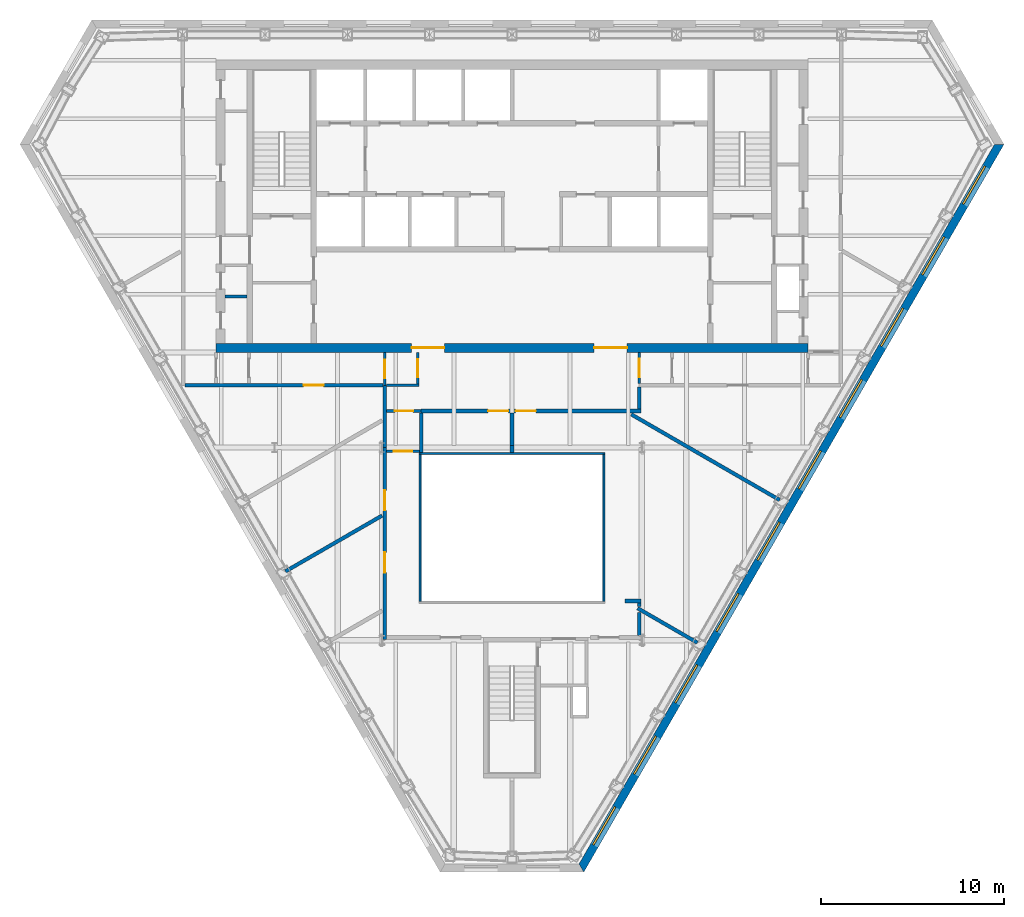
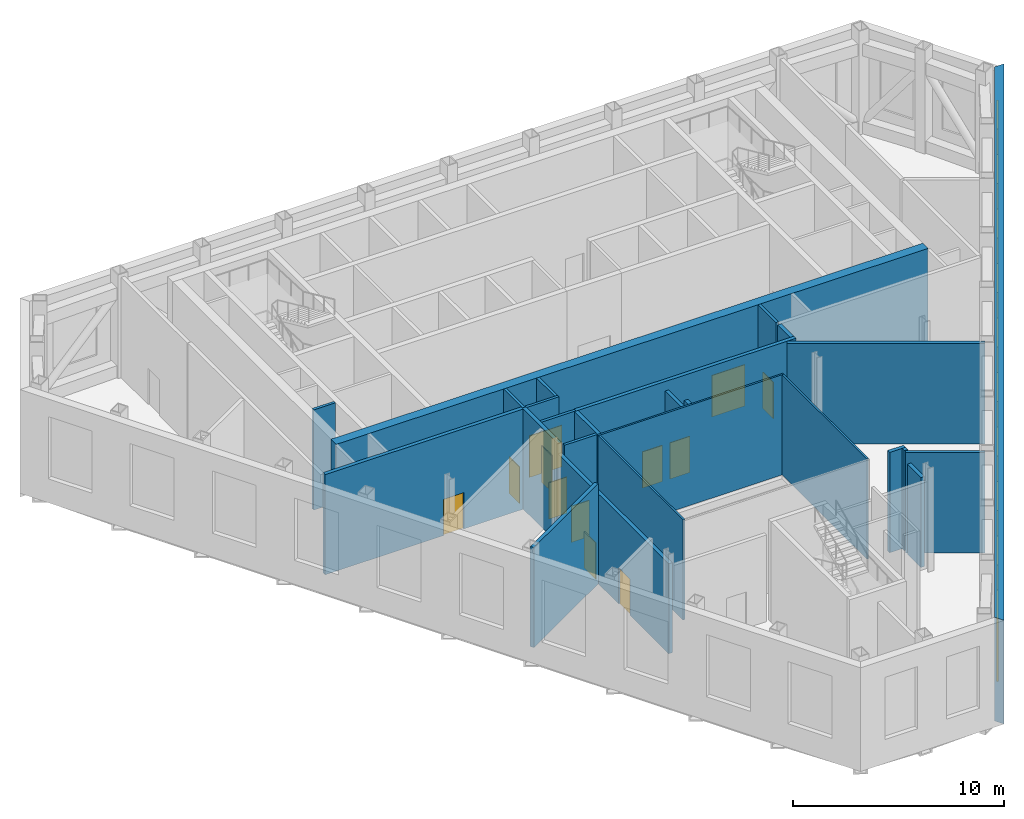
# One storey, part 7 of 13: 26 walls, 12 doors, 10 shading devices, 22 openings.
"""IFC4 building model written with IfcOpenShell, lengths in metres."""

import ifcopenshell
import ifcopenshell.guid

model = None  # the IFC model being written
_history = None  # IfcOwnerHistory: only IFC2X3 demands one
_inside = {}  # id of a spatial element -> (the spatial element, [elements in it])
_under = {}  # id of a project, library or spatial element -> (it, [spatial elements below it])
_declared = {}  # id of a project -> (the project, [libraries it declares])
_typed = {}  # id of a type object -> (the type object, [elements of that type])
_made_of = {}  # id of a material, layer set ... -> (it, [elements and type objects made of it])


def new_model(schema):
    """Start an empty IFC model of exactly this schema.

    Asked for "IFC4X3", IfcOpenShell would pick the latest addendum, in which some entities
    have other attributes; the version numbers below select the first issue.
    IFC2X3 requires an IfcOwnerHistory on every rooted entity: one is made here for all.
    """
    global model, _history
    if schema == "IFC4X3":
        model = ifcopenshell.file(schema_version=(4, 3, 0, 0))
    else:
        model = ifcopenshell.file(schema=schema)
    _inside.clear()
    _under.clear()
    _declared.clear()
    _typed.clear()
    _made_of.clear()
    _history = None
    if model.schema == "IFC2X3":
        org = make("IfcOrganization", Name="unknown")
        user = make(
            "IfcPersonAndOrganization",
            ThePerson=make("IfcPerson", FamilyName="unknown"),
            TheOrganization=org,
        )
        app = make(
            "IfcApplication",
            ApplicationDeveloper=org,
            Version="unknown",
            ApplicationFullName="unknown",
            ApplicationIdentifier="unknown",
        )
        _history = make(
            "IfcOwnerHistory",
            OwningUser=user,
            OwningApplication=app,
            ChangeAction="ADDED",
            CreationDate=0,
        )
    return model


def make(cls, **values):
    """One entity of the class cls with the attributes given. An attribute that is None is left unset."""
    return model.create_entity(
        cls, **{name: value for name, value in values.items() if value is not None}
    )


def rooted(cls, **values):
    """An entity with a GlobalId (a new one), such as an element, a storey or a relation."""
    return make(cls, GlobalId=ifcopenshell.guid.new(), OwnerHistory=_history, **values)


def si_unit(unit_type, name, prefix=None):
    """IfcSIUnit, for example si_unit("LENGTHUNIT", "METRE", prefix="MILLI")."""
    return make("IfcSIUnit", UnitType=unit_type, Prefix=prefix, Name=name)


def assignment(units):
    """IfcUnitAssignment: the units of a project."""
    return None if units is None else make("IfcUnitAssignment", Units=units)


def point(xyz):
    """IfcCartesianPoint."""
    return None if xyz is None else make("IfcCartesianPoint", Coordinates=xyz)


def direction(xyz):
    """IfcDirection."""
    return None if xyz is None else make("IfcDirection", DirectionRatios=xyz)


def frame(location, z_axis=None, x_axis=None):
    """IfcAxis2Placement3D, a coordinate frame: its origin and axes. An axis left out is left unset."""
    return make(
        "IfcAxis2Placement3D",
        Location=point(location),
        Axis=direction(z_axis),
        RefDirection=direction(x_axis),
    )


def frame_2d(location, x_axis=None):
    """IfcAxis2Placement2D, a coordinate frame in the plane: its origin and x axis."""
    return make(
        "IfcAxis2Placement2D", Location=point(location), RefDirection=direction(x_axis)
    )


def origin():
    """The frame at (0, 0, 0) with its axes left unset."""
    return frame((0.0, 0.0, 0.0))


def place(relative_to, where):
    """IfcLocalPlacement: puts the frame where relative to a parent placement (None: the world)."""
    return make(
        "IfcLocalPlacement", PlacementRelTo=relative_to, RelativePlacement=where
    )


def context(
    kind, dimensions, precision=None, world=None, true_north=None, identifier=None
):
    """IfcGeometricRepresentationContext, for example the 3D "Model" context."""
    return make(
        "IfcGeometricRepresentationContext",
        ContextIdentifier=identifier,
        ContextType=kind,
        CoordinateSpaceDimension=dimensions,
        Precision=precision,
        WorldCoordinateSystem=world,
        TrueNorth=true_north,
    )


def subcontext(parent, identifier, kind, view, scale=None):
    """IfcGeometricRepresentationSubContext, for example "Body" below "Model"."""
    return make(
        "IfcGeometricRepresentationSubContext",
        ContextIdentifier=identifier,
        ContextType=kind,
        ParentContext=parent,
        TargetScale=scale,
        TargetView=view,
    )


def project(units=None, contexts=None):
    """IfcProject with its units and contexts."""
    return rooted(
        "IfcProject",
        Name="project",
        RepresentationContexts=contexts,
        UnitsInContext=assignment(units),
    )


def spatial(cls, under=None, at=None, **own):
    """A site, building, storey or space (cls), placed at a placement, below another one or the project."""
    s = rooted(cls, ObjectPlacement=at, **own)
    if under is not None:
        _under.setdefault(under.id(), (under, []))[1].append(s)
    return s


def polyline(points):
    """IfcPolyline through the points."""
    return make("IfcPolyline", Points=[point(p) for p in points])


def profile(cls, at=None, kind="AREA", **sizes):
    """A parametric profile (cls). Its sizes go by their IFC names, for example OverallWidth=200.0."""
    return make(cls, ProfileType=kind, Position=at, **sizes)


def rectangle(**sizes):
    """IfcRectangleProfileDef."""
    return profile("IfcRectangleProfileDef", **sizes)


def outline(outer, holes=None, kind="AREA"):
    """IfcArbitraryClosedProfileDef: a profile drawn as a closed curve; with holes, ...WithVoids."""
    if holes is None:
        return make("IfcArbitraryClosedProfileDef", ProfileType=kind, OuterCurve=outer)
    return make(
        "IfcArbitraryProfileDefWithVoids",
        ProfileType=kind,
        OuterCurve=outer,
        InnerCurves=holes,
    )


def extrude(swept, where, along, depth):
    """IfcExtrudedAreaSolid: the profile swept, set in the frame where, extruded along a direction by depth."""
    return make(
        "IfcExtrudedAreaSolid",
        SweptArea=swept,
        Position=where,
        ExtrudedDirection=direction(along),
        Depth=depth,
    )


def shape(context_of_items, identifier, shape_type, items):
    """IfcShapeRepresentation: the items that make up one representation, for example the "Body"."""
    return make(
        "IfcShapeRepresentation",
        ContextOfItems=context_of_items,
        RepresentationIdentifier=identifier,
        RepresentationType=shape_type,
        Items=items,
    )


def material(Name=None, Category=None):
    """IfcMaterial."""
    return make("IfcMaterial", Name=Name, Category=Category)


def layer(
    of_material, thickness, ventilated=None, Name=None, Category=None, Priority=None
):
    """IfcMaterialLayer: one layer of a wall or slab, of a material (None: an air gap)."""
    return make(
        "IfcMaterialLayer",
        Material=of_material,
        LayerThickness=thickness,
        IsVentilated=ventilated,
        Name=Name,
        Category=Category,
        Priority=Priority,
    )


def layer_set(layers, Name=None):
    """IfcMaterialLayerSet."""
    return make("IfcMaterialLayerSet", MaterialLayers=layers, LayerSetName=Name)


def made_of(thing, what):
    """Note that an element or type object is made of a material, layer set ...; save() writes the relation."""
    if what is not None:
        _made_of.setdefault(what.id(), (what, []))[1].append(thing)
    return thing


def type_object(cls, material=None, **own):
    """A type object (cls), such as IfcWallType, which elements share."""
    return made_of(rooted(cls, **own), material)


def element(
    cls,
    number,
    at=None,
    inside=None,
    cuts=None,
    type_object=None,
    material=None,
    context=None,
    identifier="Body",
    shape_type=None,
    held_by="IfcProductDefinitionShape",
    body=None,
    shapes=None,
    **own,
):
    """One element of the class cls, such as IfcWall. Its Tag is "e" and its number.

    at: its placement. inside: the storey or other place that contains it. cuts: it is an
    opening in that element (IfcRelVoidsElement). A single representation is given by context,
    identifier, shape_type and body (its items); several are given by shapes. held_by: the class
    of the entity that holds the representations. save() writes the other relations.
    """
    e = rooted(cls, Tag="e%d" % number, ObjectPlacement=at, **own)
    if body is not None:
        shapes = [shape(context, identifier, shape_type, body)]
    if shapes is not None:
        e.Representation = make(held_by, Representations=shapes)
    if inside is not None:
        _inside.setdefault(inside.id(), (inside, []))[1].append(e)
    if cuts is not None:
        rooted(
            "IfcRelVoidsElement", RelatingBuildingElement=cuts, RelatedOpeningElement=e
        )
    if type_object is not None:
        _typed.setdefault(type_object.id(), (type_object, []))[1].append(e)
    return made_of(e, material)


def fill(opening, filler):
    """IfcRelFillsElement: the door or window that sits in an opening."""
    return rooted(
        "IfcRelFillsElement",
        RelatingOpeningElement=opening,
        RelatedBuildingElement=filler,
    )


def aggregate(whole, parts):
    """IfcRelAggregates: a whole, such as a stair, and the parts it consists of."""
    return rooted("IfcRelAggregates", RelatingObject=whole, RelatedObjects=parts)


def save(model, path):
    """Write the relations noted so far, then the file.

    IfcRelAggregates (storeys below a building ...), IfcRelContainedInSpatialStructure (elements
    in a storey), IfcRelDefinesByType, IfcRelAssociatesMaterial and IfcRelDeclares: one each for
    every whole, place, type object, material and project.
    """
    for whole, parts in _under.values():
        aggregate(whole, parts)
    for where, things in _inside.values():
        rooted(
            "IfcRelContainedInSpatialStructure",
            RelatedElements=things,
            RelatingStructure=where,
        )
    for kind, things in _typed.values():
        rooted("IfcRelDefinesByType", RelatedObjects=things, RelatingType=kind)
    for what, things in _made_of.values():
        rooted("IfcRelAssociatesMaterial", RelatedObjects=things, RelatingMaterial=what)
    for by, libraries in _declared.values():
        rooted("IfcRelDeclares", RelatingContext=by, RelatedDefinitions=libraries)
    model.write(path)


model = new_model("IFC4")

# Units and contexts
model_context = context("Model", 3, precision=1e-05, world=origin(), true_north=direction((0.0, 1.0)))
body_context = subcontext(model_context, "Body", "Model", "MODEL_VIEW")
ifc_project = project(units=[si_unit("LENGTHUNIT", "METRE"), si_unit("AREAUNIT", "SQUARE_METRE"), si_unit("VOLUMEUNIT", "CUBIC_METRE"), si_unit("PLANEANGLEUNIT", "RADIAN"), si_unit("MASSUNIT", "GRAM", prefix="KILO")], contexts=[model_context])

# Site, building, storey
site_placement = place(None, origin())
site = spatial("IfcSite", under=ifc_project, at=site_placement, CompositionType="ELEMENT")
building_placement = place(site_placement, origin())
building = spatial("IfcBuilding", under=site, at=building_placement, Name="Njiva Tower", CompositionType="ELEMENT")
storey_placement = place(building_placement, frame((0.0, 0.0, 186.6)))
storey = spatial("IfcBuildingStorey", under=building, at=storey_placement, Name="L41", CompositionType="ELEMENT", Elevation=186.6)

# Wall, openings, doors
ifc_material_1 = material(Name="Concrete C60/75", Category="concrete")
ifc_layer_1 = layer(ifc_material_1, 0.5)
ifc_layer_set_1 = layer_set([ifc_layer_1], Name="Concrete C60/75")
wall_type_1 = type_object("IfcWallType", Name="WT13 Core wall 500", PredefinedType="SHEAR", material=ifc_layer_set_1)
wall_1_placement = place(storey_placement, frame((-16.2, 2.25, 0.0), z_axis=(0.0, 0.0, 1.0), x_axis=(1.0, 0.0, 0.0)))
wall_1 = element("IfcWall", 1, at=wall_1_placement, inside=storey, type_object=wall_type_1, Name="Core wall south", PredefinedType="SHEAR", context=body_context, shape_type="SweptSolid", body=[
    extrude(rectangle(XDim=32.4, YDim=0.5, at=frame_2d((16.2, 0.0))), origin(), (0.0, 0.0, 1.0), 5.8),
])
opening_1_placement = place(wall_1_placement, frame((10.7, 0.0, 0.0)))
opening_1 = element("IfcOpeningElement", 2, at=opening_1_placement, cuts=wall_1, Name="Opening T3-D933", PredefinedType="OPENING", context=body_context, shape_type="SweptSolid", body=[
    extrude(rectangle(XDim=1.8, YDim=2.4, at=frame_2d((0.9, 1.2))), frame((0.0, 0.26, 0.0), z_axis=(0.0, -1.0, 0.0), x_axis=(1.0, 0.0, 0.0)), (0.0, 0.0, 1.0), 0.52),
])
opening_2_placement = place(wall_1_placement, frame((20.7, 0.0, 0.0)))
opening_2 = element("IfcOpeningElement", 3, at=opening_2_placement, cuts=wall_1, Name="Opening T3-D934", PredefinedType="OPENING", context=body_context, shape_type="SweptSolid", body=[
    extrude(rectangle(XDim=1.8, YDim=2.4, at=frame_2d((0.9, 1.2))), frame((0.0, 0.26, 0.0), z_axis=(0.0, -1.0, 0.0), x_axis=(1.0, 0.0, 0.0)), (0.0, 0.0, 1.0), 0.52),
])
ifc_material_2 = material(Name="Steel and glass door", Category="steel")
door_type_1 = type_object("IfcDoorType", Name="D3 Core entrance door 1800x2400", OperationType="DOUBLE_DOOR_SINGLE_SWING", PredefinedType="DOOR", material=ifc_material_2)
door_1_placement = place(opening_1_placement, origin())
door_1 = element("IfcDoor", 4, at=door_1_placement, inside=storey, type_object=door_type_1, Name="Core entrance door", OperationType="DOUBLE_DOOR_SINGLE_SWING", OverallHeight=2.4, OverallWidth=1.8, PredefinedType="DOOR", context=body_context, shape_type="SweptSolid", body=[
    extrude(rectangle(XDim=1.8, YDim=2.4, at=frame_2d((0.9, 1.2))), frame((0.0, 0.025, 0.0), z_axis=(0.0, -1.0, 0.0), x_axis=(1.0, 0.0, 0.0)), (0.0, 0.0, 1.0), 0.05),
])
fill(opening_1, door_1)
door_2_placement = place(opening_2_placement, origin())
door_2 = element("IfcDoor", 5, at=door_2_placement, inside=storey, type_object=door_type_1, Name="Core entrance door", OperationType="DOUBLE_DOOR_SINGLE_SWING", OverallHeight=2.4, OverallWidth=1.8, PredefinedType="DOOR", context=body_context, shape_type="SweptSolid", body=[
    extrude(rectangle(XDim=1.8, YDim=2.4, at=frame_2d((0.9, 1.2))), frame((0.0, 0.025, 0.0), z_axis=(0.0, -1.0, 0.0), x_axis=(1.0, 0.0, 0.0)), (0.0, 0.0, 1.0), 0.05),
])
fill(opening_2, door_2)

# Wall, opening, door
ifc_material_3 = material(Name="Gypsum board on steel studs", Category="gypsum")
ifc_layer_2 = layer(ifc_material_3, 0.15)
ifc_layer_set_2 = layer_set([ifc_layer_2], Name="Gypsum board on steel studs")
wall_type_2 = type_object("IfcWallType", Name="WT21 Compartment wall 150", PredefinedType="PARTITIONING", material=ifc_layer_set_2)
wall_2_placement = place(storey_placement, frame((-6.96, 0.201, 0.0), z_axis=(0.0, 0.0, 1.0), x_axis=(0.0, 1.0, 0.0)))
wall_2 = element("IfcWall", 6, at=wall_2_placement, inside=storey, type_object=wall_type_2, Name="Partition T3-P011", PredefinedType="PARTITIONING", context=body_context, shape_type="SweptSolid", body=[
    extrude(rectangle(XDim=1.798, YDim=0.15, at=frame_2d((0.899, 0.0))), origin(), (0.0, 0.0, 1.0), 5.8),
])
opening_3_placement = place(wall_2_placement, frame((0.399, 0.0, 0.0)))
opening_3 = element("IfcOpeningElement", 7, at=opening_3_placement, cuts=wall_2, Name="Opening T3-D007", PredefinedType="OPENING", context=body_context, shape_type="SweptSolid", body=[
    extrude(rectangle(XDim=1.0, YDim=2.1, at=frame_2d((0.5, 1.05))), frame((0.0, 0.085, 0.0), z_axis=(0.0, -1.0, 0.0), x_axis=(1.0, 0.0, 0.0)), (0.0, 0.0, 1.0), 0.17),
])
ifc_material_4 = material(Name="Steel fire door set", Category="steel")
door_type_2 = type_object("IfcDoorType", Name="D37 Fire door 1000x2100", OperationType="SINGLE_SWING_LEFT", PredefinedType="DOOR", material=ifc_material_4)
door_3_placement = place(opening_3_placement, origin())
door_3 = element("IfcDoor", 8, at=door_3_placement, inside=storey, type_object=door_type_2, Name="Door T3-D007", OperationType="SINGLE_SWING_RIGHT", OverallHeight=2.1, OverallWidth=1.0, PredefinedType="DOOR", context=body_context, shape_type="SweptSolid", body=[
    extrude(rectangle(XDim=1.0, YDim=2.1, at=frame_2d((0.5, 1.05))), frame((0.0, 0.025, 0.0), z_axis=(0.0, -1.0, 0.0), x_axis=(1.0, 0.0, 0.0)), (0.0, 0.0, 1.0), 0.05),
])
fill(opening_3, door_3)

wall_3_placement = place(storey_placement, frame((-6.86, -3.4, 0.0), z_axis=(0.0, 0.0, 1.0), x_axis=(1.0, 0.0, 0.0)))
wall_3 = element("IfcWall", 9, at=wall_3_placement, inside=storey, type_object=wall_type_2, Name="Partition T3-P013", PredefinedType="PARTITIONING", context=body_context, shape_type="SweptSolid", body=[
    extrude(rectangle(XDim=1.801, YDim=0.15, at=frame_2d((0.9005, 0.0))), origin(), (0.0, 0.0, 1.0), 5.8),
])
opening_4_placement = place(wall_3_placement, frame((0.4, 0.0, 0.0)))
opening_4 = element("IfcOpeningElement", 10, at=opening_4_placement, cuts=wall_3, Name="Opening T3-D009", PredefinedType="OPENING", context=body_context, shape_type="SweptSolid", body=[
    extrude(rectangle(XDim=1.0, YDim=2.1, at=frame_2d((0.5, 1.05))), frame((0.0, 0.085, 0.0), z_axis=(0.0, -1.0, 0.0), x_axis=(1.0, 0.0, 0.0)), (0.0, 0.0, 1.0), 0.17),
])
door_4_placement = place(opening_4_placement, origin())
door_4 = element("IfcDoor", 11, at=door_4_placement, inside=storey, type_object=door_type_2, Name="Door T3-D009", OperationType="SINGLE_SWING_RIGHT", OverallHeight=2.1, OverallWidth=1.0, PredefinedType="DOOR", context=body_context, shape_type="SweptSolid", body=[
    extrude(rectangle(XDim=1.0, YDim=2.1, at=frame_2d((0.5, 1.05))), frame((0.0, 0.025, 0.0), z_axis=(0.0, -1.0, 0.0), x_axis=(1.0, 0.0, 0.0)), (0.0, 0.0, 1.0), 0.05),
])
fill(opening_4, door_4)

wall_4_placement = place(storey_placement, frame((-6.86, -1.2, 0.0), z_axis=(0.0, 0.0, 1.0), x_axis=(1.0, 0.0, 0.0)))
wall_4 = element("IfcWall", 12, at=wall_4_placement, inside=storey, type_object=wall_type_2, Name="Partition T3-P014", PredefinedType="PARTITIONING", context=body_context, shape_type="SweptSolid", body=[
    extrude(rectangle(XDim=1.888, YDim=0.15, at=frame_2d((0.944, 0.0))), origin(), (0.0, 0.0, 1.0), 5.8),
])
opening_5_placement = place(wall_4_placement, frame((0.444, 0.0, 0.0)))
opening_5 = element("IfcOpeningElement", 13, at=opening_5_placement, cuts=wall_4, Name="Opening T3-D010", PredefinedType="OPENING", context=body_context, shape_type="SweptSolid", body=[
    extrude(rectangle(XDim=1.0, YDim=2.1, at=frame_2d((0.5, 1.05))), frame((0.0, 0.085, 0.0), z_axis=(0.0, -1.0, 0.0), x_axis=(1.0, 0.0, 0.0)), (0.0, 0.0, 1.0), 0.17),
])
door_5_placement = place(opening_5_placement, origin())
door_5 = element("IfcDoor", 14, at=door_5_placement, inside=storey, type_object=door_type_2, Name="Door T3-D010", OperationType="SINGLE_SWING_LEFT", OverallHeight=2.1, OverallWidth=1.0, PredefinedType="DOOR", context=body_context, shape_type="SweptSolid", body=[
    extrude(rectangle(XDim=1.0, YDim=2.1, at=frame_2d((0.5, 1.05))), frame((0.0, 0.025, 0.0), z_axis=(0.0, -1.0, 0.0), x_axis=(1.0, 0.0, 0.0)), (0.0, 0.0, 1.0), 0.05),
])
fill(opening_5, door_5)

# Wall
wall_5_placement = place(storey_placement, frame((-6.86, 0.201, 0.0), z_axis=(0.0, 0.0, 1.0), x_axis=(1.0, 0.0, 0.0)))
element("IfcWall", 15, at=wall_5_placement, inside=storey, type_object=wall_type_2, Name="Partition T3-P015", PredefinedType="PARTITIONING", context=body_context, shape_type="SweptSolid", body=[
    extrude(rectangle(XDim=1.775, YDim=0.15, at=frame_2d((0.8875, 0.0))), origin(), (0.0, 0.0, 1.0), 5.8),
])

# Wall, opening, door
wall_6_placement = place(storey_placement, frame((-5.16, 0.276, 0.0), z_axis=(0.0, 0.0, 1.0), x_axis=(0.0, 1.0, 0.0)))
wall_6 = element("IfcWall", 16, at=wall_6_placement, inside=storey, type_object=wall_type_2, Name="Partition T3-P016", PredefinedType="PARTITIONING", context=body_context, shape_type="SweptSolid", body=[
    extrude(rectangle(XDim=1.723, YDim=0.15, at=frame_2d((0.8615, 0.0))), origin(), (0.0, 0.0, 1.0), 5.8),
])
opening_6_placement = place(wall_6_placement, frame((0.362, 0.0, 0.0)))
opening_6 = element("IfcOpeningElement", 17, at=opening_6_placement, cuts=wall_6, Name="Opening T3-D011", PredefinedType="OPENING", context=body_context, shape_type="SweptSolid", body=[
    extrude(rectangle(XDim=1.0, YDim=2.1, at=frame_2d((0.5, 1.05))), frame((0.0, 0.085, 0.0), z_axis=(0.0, -1.0, 0.0), x_axis=(1.0, 0.0, 0.0)), (0.0, 0.0, 1.0), 0.17),
])
door_6_placement = place(opening_6_placement, origin())
door_6 = element("IfcDoor", 18, at=door_6_placement, inside=storey, type_object=door_type_2, Name="Door T3-D011", OperationType="SINGLE_SWING_LEFT", OverallHeight=2.1, OverallWidth=1.0, PredefinedType="DOOR", context=body_context, shape_type="SweptSolid", body=[
    extrude(rectangle(XDim=1.0, YDim=2.1, at=frame_2d((0.5, 1.05))), frame((0.0, 0.025, 0.0), z_axis=(0.0, -1.0, 0.0), x_axis=(1.0, 0.0, 0.0)), (0.0, 0.0, 1.0), 0.05),
])
fill(opening_6, door_6)

wall_7_placement = place(storey_placement, frame((6.96, 0.3, 0.0), z_axis=(0.0, 0.0, 1.0), x_axis=(0.0, 1.0, 0.0)))
wall_7 = element("IfcWall", 19, at=wall_7_placement, inside=storey, type_object=wall_type_2, Name="Partition T3-P027", PredefinedType="PARTITIONING", context=body_context, shape_type="SweptSolid", body=[
    extrude(rectangle(XDim=1.7, YDim=0.15, at=frame_2d((0.85, 0.0))), origin(), (0.0, 0.0, 1.0), 5.8),
])
opening_7_placement = place(wall_7_placement, frame((0.35, 0.0, 0.0)))
opening_7 = element("IfcOpeningElement", 20, at=opening_7_placement, cuts=wall_7, Name="Opening T3-D015", PredefinedType="OPENING", context=body_context, shape_type="SweptSolid", body=[
    extrude(rectangle(XDim=1.0, YDim=2.1, at=frame_2d((0.5, 1.05))), frame((0.0, 0.085, 0.0), z_axis=(0.0, -1.0, 0.0), x_axis=(1.0, 0.0, 0.0)), (0.0, 0.0, 1.0), 0.17),
])
door_7_placement = place(opening_7_placement, origin())
door_7 = element("IfcDoor", 21, at=door_7_placement, inside=storey, type_object=door_type_2, Name="Door T3-D015", OperationType="SINGLE_SWING_LEFT", OverallHeight=2.1, OverallWidth=1.0, PredefinedType="DOOR", context=body_context, shape_type="SweptSolid", body=[
    extrude(rectangle(XDim=1.0, YDim=2.1, at=frame_2d((0.5, 1.05))), frame((0.0, 0.025, 0.0), z_axis=(0.0, -1.0, 0.0), x_axis=(1.0, 0.0, 0.0)), (0.0, 0.0, 1.0), 0.05),
])
fill(opening_7, door_7)

ifc_material_5 = material(Name="Blockwork", Category="masonry")
ifc_layer_3 = layer(ifc_material_5, 0.2)
ifc_layer_set_3 = layer_set([ifc_layer_3], Name="Blockwork")
wall_type_3 = type_object("IfcWallType", Name="WT22 Plant room wall 200", PredefinedType="PARTITIONING", material=ifc_layer_set_3)
wall_8_placement = place(storey_placement, frame((-17.9, 0.2, 0.0), z_axis=(0.0, 0.0, 1.0), x_axis=(1.0, 0.0, 0.0)))
wall_8 = element("IfcWall", 22, at=wall_8_placement, inside=storey, type_object=wall_type_3, Name="Partition T3-P004", PredefinedType="PARTITIONING", context=body_context, shape_type="SweptSolid", body=[
    extrude(rectangle(XDim=10.84, YDim=0.2, at=frame_2d((5.42, 0.0))), origin(), (0.0, 0.0, 1.0), 5.8),
])
opening_8_placement = place(wall_8_placement, frame((6.489, 0.0, 0.0)))
opening_8 = element("IfcOpeningElement", 23, at=opening_8_placement, cuts=wall_8, Name="Opening T3-D002", PredefinedType="OPENING", context=body_context, shape_type="SweptSolid", body=[
    extrude(rectangle(XDim=1.1, YDim=2.1, at=frame_2d((0.55, 1.05))), frame((0.0, 0.11, 0.0), z_axis=(0.0, -1.0, 0.0), x_axis=(1.0, 0.0, 0.0)), (0.0, 0.0, 1.0), 0.22),
])
ifc_material_6 = material(Name="Steel door set", Category="steel")
door_type_3 = type_object("IfcDoorType", Name="D34 Plant door 1100x2100", OperationType="SINGLE_SWING_LEFT", PredefinedType="DOOR", material=ifc_material_6)
door_8_placement = place(opening_8_placement, origin())
door_8 = element("IfcDoor", 24, at=door_8_placement, inside=storey, type_object=door_type_3, Name="Door T3-D002", OperationType="SINGLE_SWING_RIGHT", OverallHeight=2.1, OverallWidth=1.1, PredefinedType="DOOR", context=body_context, shape_type="SweptSolid", body=[
    extrude(rectangle(XDim=1.1, YDim=2.1, at=frame_2d((0.55, 1.05))), frame((0.0, 0.025, 0.0), z_axis=(0.0, -1.0, 0.0), x_axis=(1.0, 0.0, 0.0)), (0.0, 0.0, 1.0), 0.05),
])
fill(opening_8, door_8)

# Wall
wall_9_placement = place(storey_placement, frame((-12.397, -9.979, 0.0), z_axis=(0.0, 0.0, 1.0), x_axis=(0.866057383041, 0.499944606212, 0.0)))
element("IfcWall", 25, at=wall_9_placement, inside=storey, type_object=wall_type_3, Name="Partition T3-P008", PredefinedType="PARTITIONING", context=body_context, shape_type="SweptSolid", body=[
    extrude(rectangle(XDim=6.1047, YDim=0.2, at=frame_2d((3.0524, 0.0))), origin(), (0.0, 0.0, 1.0), 5.8),
])

# Wall, openings, doors
wall_10_placement = place(storey_placement, frame((-6.96, -13.699, 0.0), z_axis=(0.0, 0.0, 1.0), x_axis=(0.0, 1.0, 0.0)))
wall_10 = element("IfcWall", 26, at=wall_10_placement, inside=storey, type_object=wall_type_3, Name="Partition T3-P010", PredefinedType="PARTITIONING", context=body_context, shape_type="SweptSolid", body=[
    extrude(rectangle(XDim=10.499, YDim=0.2, at=frame_2d((5.2495, 0.0))), origin(), (0.0, 0.0, 1.0), 5.21),
])
opening_9_placement = place(wall_10_placement, frame((3.656, 0.0, 0.0)))
opening_9 = element("IfcOpeningElement", 27, at=opening_9_placement, cuts=wall_10, Name="Opening T3-D005", PredefinedType="OPENING", context=body_context, shape_type="SweptSolid", body=[
    extrude(rectangle(XDim=1.1, YDim=2.1, at=frame_2d((0.55, 1.05))), frame((0.0, 0.11, 0.0), z_axis=(0.0, -1.0, 0.0), x_axis=(1.0, 0.0, 0.0)), (0.0, 0.0, 1.0), 0.22),
])
opening_10_placement = place(wall_10_placement, frame((7.059, 0.0, 0.0)))
opening_10 = element("IfcOpeningElement", 28, at=opening_10_placement, cuts=wall_10, Name="Opening T3-D006", PredefinedType="OPENING", context=body_context, shape_type="SweptSolid", body=[
    extrude(rectangle(XDim=1.1, YDim=2.1, at=frame_2d((0.55, 1.05))), frame((0.0, 0.11, 0.0), z_axis=(0.0, -1.0, 0.0), x_axis=(1.0, 0.0, 0.0)), (0.0, 0.0, 1.0), 0.22),
])
door_9_placement = place(opening_9_placement, origin())
door_9 = element("IfcDoor", 29, at=door_9_placement, inside=storey, type_object=door_type_3, Name="Door T3-D005", OperationType="SINGLE_SWING_RIGHT", OverallHeight=2.1, OverallWidth=1.1, PredefinedType="DOOR", context=body_context, shape_type="SweptSolid", body=[
    extrude(rectangle(XDim=1.1, YDim=2.1, at=frame_2d((0.55, 1.05))), frame((0.0, 0.025, 0.0), z_axis=(0.0, -1.0, 0.0), x_axis=(1.0, 0.0, 0.0)), (0.0, 0.0, 1.0), 0.05),
])
fill(opening_9, door_9)
door_10_placement = place(opening_10_placement, origin())
door_10 = element("IfcDoor", 30, at=door_10_placement, inside=storey, type_object=door_type_3, Name="Door T3-D006", OperationType="SINGLE_SWING_LEFT", OverallHeight=2.1, OverallWidth=1.1, PredefinedType="DOOR", context=body_context, shape_type="SweptSolid", body=[
    extrude(rectangle(XDim=1.1, YDim=2.1, at=frame_2d((0.55, 1.05))), frame((0.0, 0.025, 0.0), z_axis=(0.0, -1.0, 0.0), x_axis=(1.0, 0.0, 0.0)), (0.0, 0.0, 1.0), 0.05),
])
fill(opening_10, door_10)

# Wall
wall_11_placement = place(storey_placement, frame((-6.96, -3.2, 0.0), z_axis=(0.0, 0.0, 1.0), x_axis=(0.0, 1.0, 0.0)))
element("IfcWall", 31, at=wall_11_placement, inside=storey, type_object=wall_type_3, Name="Partition T3-P010A", PredefinedType="PARTITIONING", context=body_context, shape_type="SweptSolid", body=[
    extrude(rectangle(XDim=3.398, YDim=0.2, at=frame_2d((1.699, 0.0))), origin(), (0.0, 0.0, 1.0), 5.8),
])

# Wall, openings, doors
wall_12_placement = place(storey_placement, frame((-4.972, -1.2, 0.0), z_axis=(0.0, 0.0, 1.0), x_axis=(1.0, 0.0, 0.0)))
wall_12 = element("IfcWall", 32, at=wall_12_placement, inside=storey, type_object=wall_type_3, Name="Partition T3-P017", PredefinedType="PARTITIONING", context=body_context, shape_type="SweptSolid", body=[
    extrude(rectangle(XDim=12.032, YDim=0.2, at=frame_2d((6.016, 0.0))), origin(), (0.0, 0.0, 1.0), 5.8),
])
opening_11_placement = place(wall_12_placement, frame((3.671, 0.0, 0.0)))
opening_11 = element("IfcOpeningElement", 33, at=opening_11_placement, cuts=wall_12, Name="Opening T3-D012", PredefinedType="OPENING", context=body_context, shape_type="SweptSolid", body=[
    extrude(rectangle(XDim=1.1, YDim=2.1, at=frame_2d((0.55, 1.05))), frame((0.0, 0.11, 0.0), z_axis=(0.0, -1.0, 0.0), x_axis=(1.0, 0.0, 0.0)), (0.0, 0.0, 1.0), 0.22),
])
opening_12_placement = place(wall_12_placement, frame((5.174, 0.0, 0.0)))
opening_12 = element("IfcOpeningElement", 34, at=opening_12_placement, cuts=wall_12, Name="Opening T3-D013", PredefinedType="OPENING", context=body_context, shape_type="SweptSolid", body=[
    extrude(rectangle(XDim=1.1, YDim=2.1, at=frame_2d((0.55, 1.05))), frame((0.0, 0.11, 0.0), z_axis=(0.0, -1.0, 0.0), x_axis=(1.0, 0.0, 0.0)), (0.0, 0.0, 1.0), 0.22),
])
door_11_placement = place(opening_11_placement, origin())
door_11 = element("IfcDoor", 35, at=door_11_placement, inside=storey, type_object=door_type_3, Name="Door T3-D012", OperationType="SINGLE_SWING_LEFT", OverallHeight=2.1, OverallWidth=1.1, PredefinedType="DOOR", context=body_context, shape_type="SweptSolid", body=[
    extrude(rectangle(XDim=1.1, YDim=2.1, at=frame_2d((0.55, 1.05))), frame((0.0, 0.025, 0.0), z_axis=(0.0, -1.0, 0.0), x_axis=(1.0, 0.0, 0.0)), (0.0, 0.0, 1.0), 0.05),
])
fill(opening_11, door_11)
door_12_placement = place(opening_12_placement, origin())
door_12 = element("IfcDoor", 36, at=door_12_placement, inside=storey, type_object=door_type_3, Name="Door T3-D013", OperationType="SINGLE_SWING_LEFT", OverallHeight=2.1, OverallWidth=1.1, PredefinedType="DOOR", context=body_context, shape_type="SweptSolid", body=[
    extrude(rectangle(XDim=1.1, YDim=2.1, at=frame_2d((0.55, 1.05))), frame((0.0, 0.025, 0.0), z_axis=(0.0, -1.0, 0.0), x_axis=(1.0, 0.0, 0.0)), (0.0, 0.0, 1.0), 0.05),
])
fill(opening_12, door_12)

# Walls
wall_13_placement = place(storey_placement, frame((-4.959, -3.48, 0.0), z_axis=(0.0, 0.0, 1.0), x_axis=(-0.000458715548, 0.99999989479, 0.0)))
element("IfcWall", 37, at=wall_13_placement, inside=storey, type_object=wall_type_3, Name="Partition T3-P018", PredefinedType="PARTITIONING", context=body_context, shape_type="SweptSolid", body=[
    extrude(rectangle(XDim=2.18, YDim=0.2, at=frame_2d((1.09, 0.0))), origin(), (0.0, 0.0, 1.0), 5.8),
])
wall_14_placement = place(storey_placement, frame((-0.001, -1.3, 0.0), z_axis=(0.0, 0.0, 1.0), x_axis=(0.000444444401, -0.999999901235, 0.0)))
element("IfcWall", 38, at=wall_14_placement, inside=storey, type_object=wall_type_3, Name="Partition T3-P019", PredefinedType="PARTITIONING", context=body_context, shape_type="SweptSolid", body=[
    extrude(rectangle(XDim=1.8, YDim=0.2, at=frame_2d((0.9, 0.0))), origin(), (0.0, 0.0, 1.0), 5.25),
])
wall_15_placement = place(storey_placement, frame((-0.0002, -3.1, 0.0), z_axis=(0.0, 0.0, 1.0), x_axis=(0.000526315717, -0.999999861496, 0.0)))
element("IfcWall", 39, at=wall_15_placement, inside=storey, type_object=wall_type_3, Name="Partition T3-P019A", PredefinedType="PARTITIONING", context=body_context, shape_type="SweptSolid", body=[
    extrude(rectangle(XDim=0.38, YDim=0.2, at=frame_2d((0.19, 0.0))), origin(), (0.0, 0.0, 1.0), 5.8),
])
wall_16_placement = place(storey_placement, frame((6.189, -11.6, 0.0), z_axis=(0.0, 0.0, 1.0), x_axis=(1.0, 0.0, 0.0)))
element("IfcWall", 40, at=wall_16_placement, inside=storey, type_object=wall_type_3, Name="Partition T3-P022", PredefinedType="PARTITIONING", context=body_context, shape_type="SweptSolid", body=[
    extrude(rectangle(XDim=0.871, YDim=0.2, at=frame_2d((0.4355, 0.0))), origin(), (0.0, 0.0, 1.0), 5.8),
])
wall_17_placement = place(storey_placement, frame((6.531, -1.387, 0.0), z_axis=(0.0, 0.0, 1.0), x_axis=(0.866029291668, -0.499993265928, 0.0)))
element("IfcWall", 41, at=wall_17_placement, inside=storey, type_object=wall_type_3, Name="Partition T3-P023", PredefinedType="PARTITIONING", context=body_context, shape_type="SweptSolid", body=[
    extrude(rectangle(XDim=9.3761, YDim=0.2, at=frame_2d((4.688, 0.0))), origin(), (0.0, 0.0, 1.0), 5.8),
])
wall_18_placement = place(storey_placement, frame((6.874, -11.996, 0.0), z_axis=(0.0, 0.0, 1.0), x_axis=(0.866181174779, -0.499730099612, 0.0)))
element("IfcWall", 42, at=wall_18_placement, inside=storey, type_object=wall_type_3, Name="Partition T3-P024", PredefinedType="PARTITIONING", context=body_context, shape_type="SweptSolid", body=[
    extrude(rectangle(XDim=3.774, YDim=0.2, at=frame_2d((1.887, 0.0))), origin(), (0.0, 0.0, 1.0), 5.8),
])
wall_19_placement = place(storey_placement, frame((6.96, -13.5, 0.0), z_axis=(0.0, 0.0, 1.0), x_axis=(0.0, 1.0, 0.0)))
element("IfcWall", 43, at=wall_19_placement, inside=storey, type_object=wall_type_3, Name="Partition T3-P025", PredefinedType="PARTITIONING", context=body_context, shape_type="SweptSolid", body=[
    extrude(rectangle(XDim=1.281, YDim=0.2, at=frame_2d((0.6405, 0.0))), origin(), (0.0, 0.0, 1.0), 5.21),
])
wall_20_placement = place(storey_placement, frame((6.96, -1.1, 0.0), z_axis=(0.0, 0.0, 1.0), x_axis=(0.0, 1.0, 0.0)))
element("IfcWall", 44, at=wall_20_placement, inside=storey, type_object=wall_type_3, Name="Partition T3-P026", PredefinedType="PARTITIONING", context=body_context, shape_type="SweptSolid", body=[
    extrude(rectangle(XDim=1.2, YDim=0.2, at=frame_2d((0.6, 0.0))), origin(), (0.0, 0.0, 1.0), 5.8),
])
wall_21_placement = place(storey_placement, frame((6.96, -11.7, 0.0), z_axis=(0.0, 0.0, 1.0), x_axis=(0.004784634228, -0.999988553572, 0.0)))
element("IfcWall", 45, at=wall_21_placement, inside=storey, type_object=wall_type_3, Name="Partition T3-P028", PredefinedType="PARTITIONING", context=body_context, shape_type="SweptSolid", body=[
    extrude(rectangle(XDim=0.209, YDim=0.2, at=frame_2d((0.1045, 0.0))), origin(), (0.0, 0.0, 1.0), 5.8),
])
ifc_layer_4 = layer(ifc_material_5, 0.15)
ifc_layer_set_4 = layer_set([ifc_layer_4], Name="Blockwork")
wall_type_4 = type_object("IfcWallType", Name="WT3 Riser partition 150", PredefinedType="PARTITIONING", material=ifc_layer_set_4)
wall_22_placement = place(storey_placement, frame((-15.7, 5.0717, 0.0), z_axis=(0.0, 0.0, 1.0), x_axis=(1.0, 0.0, 0.0)))
element("IfcWall", 46, at=wall_22_placement, inside=storey, type_object=wall_type_4, Name="Partition strip W00", PredefinedType="PARTITIONING", context=body_context, shape_type="SweptSolid", body=[
    extrude(rectangle(XDim=1.2, YDim=0.15, at=frame_2d((0.6, 0.0))), origin(), (0.0, 0.0, 1.0), 5.8),
])

# Wall, openings, shading devices
ifc_material_7 = material(Name="Brick masonry, buff", Category="masonry")
ifc_layer_5 = layer(ifc_material_7, 0.45)
ifc_layer_set_5 = layer_set([ifc_layer_5], Name="Brick masonry, buff")
wall_type_5 = type_object("IfcWallType", Name="WT94 Brick pier and spandrel wall 450, buff", PredefinedType="SOLIDWALL", material=ifc_layer_set_5)
wall_23_placement = place(storey_placement, frame((3.8001, -26.2191, -0.18), z_axis=(0.0, 0.0, 1.0), x_axis=(0.500000711659, 0.866024992908, 0.0)))
wall_23 = element("IfcWall", 47, at=wall_23_placement, inside=storey, type_object=wall_type_5, Name="Facade wall SE", PredefinedType="SOLIDWALL", context=body_context, shape_type="SweptSolid", body=[
    extrude(outline(polyline([(-0.1299, -0.225), (45.87, -0.225), (45.6102, 0.225), (0.1299, 0.225), (-0.1299, -0.225)])), origin(), (0.0, 0.0, 1.0), 6.0),
])
opening_13_placement = place(wall_23_placement, frame((1.4242, 0.0, 1.38)))
opening_13 = element("IfcOpeningElement", 48, at=opening_13_placement, cuts=wall_23, Name="Opening T3-LV25", PredefinedType="OPENING", context=body_context, shape_type="SweptSolid", body=[
    extrude(rectangle(XDim=2.4, YDim=3.6, at=frame_2d((1.2, 1.8))), frame((0.0, 0.235, 0.0), z_axis=(0.0, -1.0, 0.0), x_axis=(1.0, 0.0, 0.0)), (0.0, 0.0, 1.0), 0.47),
])
opening_14_placement = place(wall_23_placement, frame((5.8934, 0.0, 1.38)))
opening_14 = element("IfcOpeningElement", 49, at=opening_14_placement, cuts=wall_23, Name="Opening T3-LV26", PredefinedType="OPENING", context=body_context, shape_type="SweptSolid", body=[
    extrude(rectangle(XDim=2.4, YDim=3.6, at=frame_2d((1.2, 1.8))), frame((0.0, 0.235, 0.0), z_axis=(0.0, -1.0, 0.0), x_axis=(1.0, 0.0, 0.0)), (0.0, 0.0, 1.0), 0.47),
])
opening_15_placement = place(wall_23_placement, frame((10.401, 0.0, 1.38)))
opening_15 = element("IfcOpeningElement", 50, at=opening_15_placement, cuts=wall_23, Name="Opening T3-LV27", PredefinedType="OPENING", context=body_context, shape_type="SweptSolid", body=[
    extrude(rectangle(XDim=2.4, YDim=3.6, at=frame_2d((1.2, 1.8))), frame((0.0, 0.235, 0.0), z_axis=(0.0, -1.0, 0.0), x_axis=(1.0, 0.0, 0.0)), (0.0, 0.0, 1.0), 0.47),
])
opening_16_placement = place(wall_23_placement, frame((14.9087, 0.0, 1.38)))
opening_16 = element("IfcOpeningElement", 51, at=opening_16_placement, cuts=wall_23, Name="Opening T3-LV28", PredefinedType="OPENING", context=body_context, shape_type="SweptSolid", body=[
    extrude(rectangle(XDim=2.4, YDim=3.6, at=frame_2d((1.2, 1.8))), frame((0.0, 0.235, 0.0), z_axis=(0.0, -1.0, 0.0), x_axis=(1.0, 0.0, 0.0)), (0.0, 0.0, 1.0), 0.47),
])
opening_17_placement = place(wall_23_placement, frame((19.4163, 0.0, 1.38)))
opening_17 = element("IfcOpeningElement", 52, at=opening_17_placement, cuts=wall_23, Name="Opening T3-LV29", PredefinedType="OPENING", context=body_context, shape_type="SweptSolid", body=[
    extrude(rectangle(XDim=2.4, YDim=3.6, at=frame_2d((1.2, 1.8))), frame((0.0, 0.235, 0.0), z_axis=(0.0, -1.0, 0.0), x_axis=(1.0, 0.0, 0.0)), (0.0, 0.0, 1.0), 0.47),
])
opening_18_placement = place(wall_23_placement, frame((23.9239, 0.0, 1.38)))
opening_18 = element("IfcOpeningElement", 53, at=opening_18_placement, cuts=wall_23, Name="Opening T3-LV30", PredefinedType="OPENING", context=body_context, shape_type="SweptSolid", body=[
    extrude(rectangle(XDim=2.4, YDim=3.6, at=frame_2d((1.2, 1.8))), frame((0.0, 0.235, 0.0), z_axis=(0.0, -1.0, 0.0), x_axis=(1.0, 0.0, 0.0)), (0.0, 0.0, 1.0), 0.47),
])
opening_19_placement = place(wall_23_placement, frame((28.4315, 0.0, 1.38)))
opening_19 = element("IfcOpeningElement", 54, at=opening_19_placement, cuts=wall_23, Name="Opening T3-LV31", PredefinedType="OPENING", context=body_context, shape_type="SweptSolid", body=[
    extrude(rectangle(XDim=2.4, YDim=3.6, at=frame_2d((1.2, 1.8))), frame((0.0, 0.235, 0.0), z_axis=(0.0, -1.0, 0.0), x_axis=(1.0, 0.0, 0.0)), (0.0, 0.0, 1.0), 0.47),
])
opening_20_placement = place(wall_23_placement, frame((32.9391, 0.0, 1.38)))
opening_20 = element("IfcOpeningElement", 55, at=opening_20_placement, cuts=wall_23, Name="Opening T3-LV32", PredefinedType="OPENING", context=body_context, shape_type="SweptSolid", body=[
    extrude(rectangle(XDim=2.4, YDim=3.6, at=frame_2d((1.2, 1.8))), frame((0.0, 0.235, 0.0), z_axis=(0.0, -1.0, 0.0), x_axis=(1.0, 0.0, 0.0)), (0.0, 0.0, 1.0), 0.47),
])
opening_21_placement = place(wall_23_placement, frame((37.4468, 0.0, 1.38)))
opening_21 = element("IfcOpeningElement", 56, at=opening_21_placement, cuts=wall_23, Name="Opening T3-LV33", PredefinedType="OPENING", context=body_context, shape_type="SweptSolid", body=[
    extrude(rectangle(XDim=2.4, YDim=3.6, at=frame_2d((1.2, 1.8))), frame((0.0, 0.235, 0.0), z_axis=(0.0, -1.0, 0.0), x_axis=(1.0, 0.0, 0.0)), (0.0, 0.0, 1.0), 0.47),
])
opening_22_placement = place(wall_23_placement, frame((41.916, 0.0, 1.38)))
opening_22 = element("IfcOpeningElement", 57, at=opening_22_placement, cuts=wall_23, Name="Opening T3-LV34", PredefinedType="OPENING", context=body_context, shape_type="SweptSolid", body=[
    extrude(rectangle(XDim=2.4, YDim=3.6, at=frame_2d((1.2, 1.8))), frame((0.0, 0.235, 0.0), z_axis=(0.0, -1.0, 0.0), x_axis=(1.0, 0.0, 0.0)), (0.0, 0.0, 1.0), 0.47),
])
ifc_material_8 = material(Name="Aluminium louvre blades", Category="aluminium")
shading_device_type = type_object("IfcShadingDeviceType", Name="LV1 Plant louvre 2400x3600", PredefinedType="JALOUSIE", material=ifc_material_8)
shading_device_1_placement = place(opening_13_placement, origin())
shading_device_1 = element("IfcShadingDevice", 58, at=shading_device_1_placement, inside=storey, type_object=shading_device_type, Name="Plant louvre", PredefinedType="JALOUSIE", context=body_context, shape_type="SweptSolid", body=[
    extrude(rectangle(XDim=2.4, YDim=3.6, at=frame_2d((1.2, 1.8))), frame((0.0, 0.125, 0.0), z_axis=(0.0, -1.0, 0.0), x_axis=(1.0, 0.0, 0.0)), (0.0, 0.0, 1.0), 0.1),
])
fill(opening_13, shading_device_1)
shading_device_2_placement = place(opening_14_placement, origin())
shading_device_2 = element("IfcShadingDevice", 59, at=shading_device_2_placement, inside=storey, type_object=shading_device_type, Name="Plant louvre", PredefinedType="JALOUSIE", context=body_context, shape_type="SweptSolid", body=[
    extrude(rectangle(XDim=2.4, YDim=3.6, at=frame_2d((1.2, 1.8))), frame((0.0, 0.125, 0.0), z_axis=(0.0, -1.0, 0.0), x_axis=(1.0, 0.0, 0.0)), (0.0, 0.0, 1.0), 0.1),
])
fill(opening_14, shading_device_2)
shading_device_3_placement = place(opening_15_placement, origin())
shading_device_3 = element("IfcShadingDevice", 60, at=shading_device_3_placement, inside=storey, type_object=shading_device_type, Name="Plant louvre", PredefinedType="JALOUSIE", context=body_context, shape_type="SweptSolid", body=[
    extrude(rectangle(XDim=2.4, YDim=3.6, at=frame_2d((1.2, 1.8))), frame((0.0, 0.125, 0.0), z_axis=(0.0, -1.0, 0.0), x_axis=(1.0, 0.0, 0.0)), (0.0, 0.0, 1.0), 0.1),
])
fill(opening_15, shading_device_3)
shading_device_4_placement = place(opening_16_placement, origin())
shading_device_4 = element("IfcShadingDevice", 61, at=shading_device_4_placement, inside=storey, type_object=shading_device_type, Name="Plant louvre", PredefinedType="JALOUSIE", context=body_context, shape_type="SweptSolid", body=[
    extrude(rectangle(XDim=2.4, YDim=3.6, at=frame_2d((1.2, 1.8))), frame((0.0, 0.125, 0.0), z_axis=(0.0, -1.0, 0.0), x_axis=(1.0, 0.0, 0.0)), (0.0, 0.0, 1.0), 0.1),
])
fill(opening_16, shading_device_4)
shading_device_5_placement = place(opening_17_placement, origin())
shading_device_5 = element("IfcShadingDevice", 62, at=shading_device_5_placement, inside=storey, type_object=shading_device_type, Name="Plant louvre", PredefinedType="JALOUSIE", context=body_context, shape_type="SweptSolid", body=[
    extrude(rectangle(XDim=2.4, YDim=3.6, at=frame_2d((1.2, 1.8))), frame((0.0, 0.125, 0.0), z_axis=(0.0, -1.0, 0.0), x_axis=(1.0, 0.0, 0.0)), (0.0, 0.0, 1.0), 0.1),
])
fill(opening_17, shading_device_5)
shading_device_6_placement = place(opening_18_placement, origin())
shading_device_6 = element("IfcShadingDevice", 63, at=shading_device_6_placement, inside=storey, type_object=shading_device_type, Name="Plant louvre", PredefinedType="JALOUSIE", context=body_context, shape_type="SweptSolid", body=[
    extrude(rectangle(XDim=2.4, YDim=3.6, at=frame_2d((1.2, 1.8))), frame((0.0, 0.125, 0.0), z_axis=(0.0, -1.0, 0.0), x_axis=(1.0, 0.0, 0.0)), (0.0, 0.0, 1.0), 0.1),
])
fill(opening_18, shading_device_6)
shading_device_7_placement = place(opening_19_placement, origin())
shading_device_7 = element("IfcShadingDevice", 64, at=shading_device_7_placement, inside=storey, type_object=shading_device_type, Name="Plant louvre", PredefinedType="JALOUSIE", context=body_context, shape_type="SweptSolid", body=[
    extrude(rectangle(XDim=2.4, YDim=3.6, at=frame_2d((1.2, 1.8))), frame((0.0, 0.125, 0.0), z_axis=(0.0, -1.0, 0.0), x_axis=(1.0, 0.0, 0.0)), (0.0, 0.0, 1.0), 0.1),
])
fill(opening_19, shading_device_7)
shading_device_8_placement = place(opening_20_placement, origin())
shading_device_8 = element("IfcShadingDevice", 65, at=shading_device_8_placement, inside=storey, type_object=shading_device_type, Name="Plant louvre", PredefinedType="JALOUSIE", context=body_context, shape_type="SweptSolid", body=[
    extrude(rectangle(XDim=2.4, YDim=3.6, at=frame_2d((1.2, 1.8))), frame((0.0, 0.125, 0.0), z_axis=(0.0, -1.0, 0.0), x_axis=(1.0, 0.0, 0.0)), (0.0, 0.0, 1.0), 0.1),
])
fill(opening_20, shading_device_8)
shading_device_9_placement = place(opening_21_placement, origin())
shading_device_9 = element("IfcShadingDevice", 66, at=shading_device_9_placement, inside=storey, type_object=shading_device_type, Name="Plant louvre", PredefinedType="JALOUSIE", context=body_context, shape_type="SweptSolid", body=[
    extrude(rectangle(XDim=2.4, YDim=3.6, at=frame_2d((1.2, 1.8))), frame((0.0, 0.125, 0.0), z_axis=(0.0, -1.0, 0.0), x_axis=(1.0, 0.0, 0.0)), (0.0, 0.0, 1.0), 0.1),
])
fill(opening_21, shading_device_9)
shading_device_10_placement = place(opening_22_placement, origin())
shading_device_10 = element("IfcShadingDevice", 67, at=shading_device_10_placement, inside=storey, type_object=shading_device_type, Name="Plant louvre", PredefinedType="JALOUSIE", context=body_context, shape_type="SweptSolid", body=[
    extrude(rectangle(XDim=2.4, YDim=3.6, at=frame_2d((1.2, 1.8))), frame((0.0, 0.125, 0.0), z_axis=(0.0, -1.0, 0.0), x_axis=(1.0, 0.0, 0.0)), (0.0, 0.0, 1.0), 0.1),
])
fill(opening_22, shading_device_10)

# Walls
ifc_material_9 = material(Name="Fire-resisting glazing EI 90", Category="glass")
ifc_layer_6 = layer(ifc_material_9, 0.1)
ifc_layer_set_6 = layer_set([ifc_layer_6], Name="Fire-resisting glazing EI 90")
wall_type_6 = type_object("IfcWallType", Name="WT95 Fire-resisting glazed screen EI 90", PredefinedType="PARTITIONING", material=ifc_layer_set_6)
wall_24_placement = place(storey_placement, frame((5.03, -11.62, 0.0), z_axis=(0.0, 0.0, 1.0), x_axis=(0.0, 1.0, 0.0)))
element("IfcWall", 68, at=wall_24_placement, inside=storey, type_object=wall_type_6, Name="Atrium fire screen east", PredefinedType="PARTITIONING", context=body_context, shape_type="SweptSolid", body=[
    extrude(rectangle(XDim=8.04, YDim=0.1, at=frame_2d((4.02, 0.0))), origin(), (0.0, 0.0, 1.0), 5.8),
])
wall_25_placement = place(storey_placement, frame((5.08, -3.53, 0.0), z_axis=(0.0, 0.0, 1.0), x_axis=(-1.0, 0.0, 0.0)))
element("IfcWall", 69, at=wall_25_placement, inside=storey, type_object=wall_type_6, Name="Atrium fire screen north", PredefinedType="PARTITIONING", context=body_context, shape_type="SweptSolid", body=[
    extrude(rectangle(XDim=10.16, YDim=0.1, at=frame_2d((5.08, 0.0))), origin(), (0.0, 0.0, 1.0), 5.8),
])
wall_26_placement = place(storey_placement, frame((-5.03, -3.58, 0.0), z_axis=(0.0, 0.0, 1.0), x_axis=(0.0, -1.0, 0.0)))
element("IfcWall", 70, at=wall_26_placement, inside=storey, type_object=wall_type_6, Name="Atrium fire screen west", PredefinedType="PARTITIONING", context=body_context, shape_type="SweptSolid", body=[
    extrude(rectangle(XDim=8.04, YDim=0.1, at=frame_2d((4.02, 0.0))), origin(), (0.0, 0.0, 1.0), 5.8),
])

save(model, "model.ifc")
